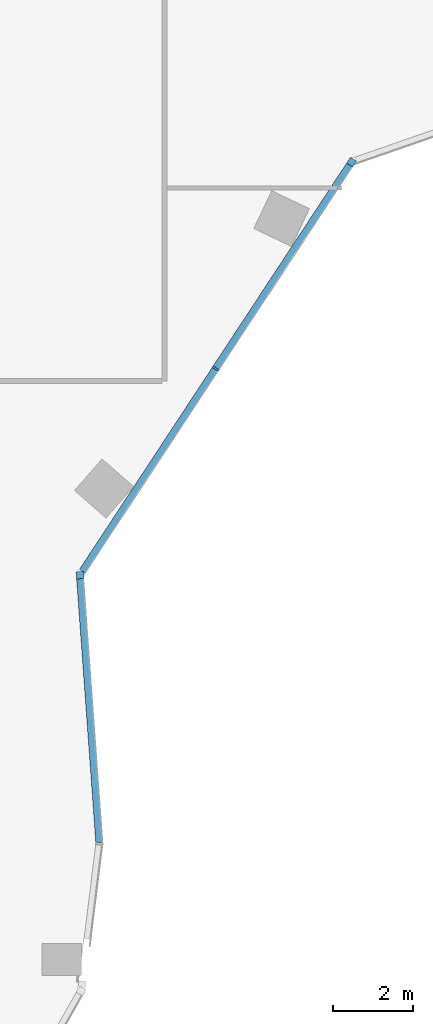
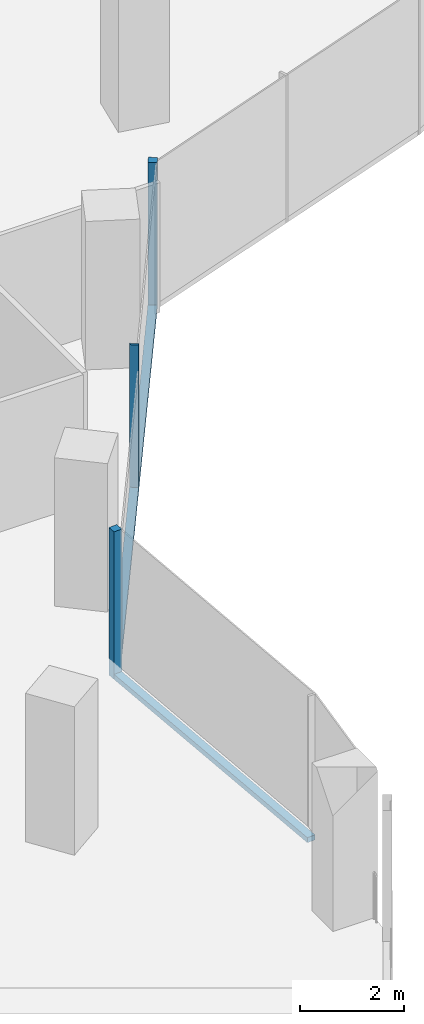
# One storey, part 5 of 24: 5 members, 2 elements without a shape of their own.
"""IFC4 building model written with IfcOpenShell, lengths in metres."""

from ifc_helpers import new_model, si_unit, direction, frame, origin, origin_2d, place, context, subcontext, project, spatial, rectangle, extrude, material, material_profile, profile_set, type_object, element, aggregate, save


model = new_model("IFC4")

# Units and contexts
model_context = context("Model", 3, precision=1e-05, world=origin(), true_north=direction((0.0, 1.0)))
body_context = subcontext(model_context, "Body", "Model", "MODEL_VIEW")
ifc_project = project(units=[si_unit("LENGTHUNIT", "METRE"), si_unit("AREAUNIT", "SQUARE_METRE"), si_unit("VOLUMEUNIT", "CUBIC_METRE"), si_unit("PLANEANGLEUNIT", "RADIAN"), si_unit("MASSUNIT", "GRAM", prefix="KILO")], contexts=[model_context])

# Site, building, storey
site_placement = place(None, origin())
site = spatial("IfcSite", under=ifc_project, at=site_placement, CompositionType="ELEMENT")
building_placement = place(site_placement, origin())
building = spatial("IfcBuilding", under=site, at=building_placement, Name="Orlundy Tower", CompositionType="ELEMENT")
storey_placement = place(building_placement, frame((0.0, 0.0, 246.0)))
storey = spatial("IfcBuildingStorey", under=building, at=storey_placement, Name="L65", CompositionType="ELEMENT", Elevation=246.0)

# Curtain wall, member
ifc_material_1 = material(Name="Aluminium bronze anodised", Category="aluminium")
curtain_wall_type = type_object("IfcCurtainWallType", Name="CW1 wall", PredefinedType="NOTDEFINED", material=ifc_material_1)
curtain_wall_1_placement = place(storey_placement, origin())
curtain_wall_1 = element("IfcCurtainWall", 1, at=curtain_wall_1_placement, inside=storey, type_object=curtain_wall_type, Name="CW1 run 01", PredefinedType="NOTDEFINED")
ifc_material_2 = material(Name="Aluminium bronze anodised", Category="aluminium")
ifc_material_profile_1 = material_profile(ifc_material_2, rectangle(XDim=0.179931640625, YDim=0.179931640625, at=origin_2d()), Name="CW1 corner post 180x180")
ifc_profile_set_1 = profile_set([ifc_material_profile_1], Name="Aluminium bronze anodised")
member_type_1 = type_object("IfcMemberType", Name="CW1 corner post 180x180", PredefinedType="MULLION", material=ifc_profile_set_1)
member_1_placement = place(storey_placement, frame((28.553466796875, -11.343994140625, -0.39990234375), z_axis=(0.0, 0.0, 1.0), x_axis=(0.835496427827, -0.549495877226, 0.0)))
member_1 = element("IfcMember", 2, at=member_1_placement, type_object=member_type_1, Name="CW1 mullion 3", PredefinedType="MULLION", context=body_context, shape_type="SweptSolid", body=[
    extrude(rectangle(XDim=0.179931640625, YDim=0.179931640625, at=origin_2d()), origin(), (0.0, 0.0, 1.0), 3.47998046875),
])

curtain_wall_2_placement = place(storey_placement, origin())
curtain_wall_2 = element("IfcCurtainWall", 3, at=curtain_wall_2_placement, inside=storey, type_object=curtain_wall_type, Name="CW1 run 02", PredefinedType="NOTDEFINED")
member_2_placement = place(storey_placement, frame((21.72607421875, -21.724853515625, -0.39990234375), z_axis=(0.0, 0.0, 1.0), x_axis=(0.997356697467, 0.072660980026, 0.0)))
member_2 = element("IfcMember", 4, at=member_2_placement, type_object=member_type_1, Name="CW1 mullion 5", PredefinedType="MULLION", context=body_context, shape_type="SweptSolid", body=[
    extrude(rectangle(XDim=0.179931640625, YDim=0.179931640625, at=origin_2d()), origin(), (0.0, 0.0, 1.0), 3.47998046875),
])

# Member
ifc_material_3 = material(Name="Aluminium bronze anodised", Category="aluminium")
ifc_material_profile_2 = material_profile(ifc_material_3, rectangle(XDim=0.179931640625, YDim=0.050048828125, at=origin_2d()), Name="CW1 mullion 50x180")
ifc_profile_set_2 = profile_set([ifc_material_profile_2], Name="Aluminium bronze anodised")
member_type_2 = type_object("IfcMemberType", Name="CW1 mullion 50x180", PredefinedType="MULLION", material=ifc_profile_set_2)
member_3_placement = place(storey_placement, frame((25.1396484375, -16.534423828125, -0.39990234375), z_axis=(0.0, 0.0, 1.0), x_axis=(0.835496427827, -0.549495877226, 0.0)))
member_3 = element("IfcMember", 5, at=member_3_placement, type_object=member_type_2, Name="CW1 mullion 4", PredefinedType="MULLION", context=body_context, shape_type="SweptSolid", body=[
    extrude(rectangle(XDim=0.179931640625, YDim=0.050048828125, at=origin_2d()), origin(), (0.0, 0.0, 1.0), 3.47998046875),
])

ifc_material_4 = material(Name="Aluminium bronze anodised", Category="aluminium")
ifc_material_profile_3 = material_profile(ifc_material_4, rectangle(XDim=0.179931640625, YDim=0.1201171875, at=origin_2d()), Name="CW1 transom 180x120")
ifc_profile_set_3 = profile_set([ifc_material_profile_3], Name="Aluminium bronze anodised")
member_type_3 = type_object("IfcMemberType", Name="CW1 transom 180x120", PredefinedType="USERDEFINED", material=ifc_profile_set_3)
member_4_placement = place(storey_placement, frame((28.50390625, -11.419189453125, -0.340087890625), z_axis=(-0.549493952351, -0.835497693791, 0.0), x_axis=(0.835497693791, -0.549493952351, 0.0)))
member_4 = element("IfcMember", 6, at=member_4_placement, type_object=member_type_3, Name="CW1 transom", ObjectType="TRANSOM", PredefinedType="USERDEFINED", context=body_context, shape_type="SweptSolid", body=[
    extrude(rectangle(XDim=0.179931640625, YDim=0.1201171875, at=origin_2d()), origin(), (0.0, 0.0, 1.0), 12.221435546875),
])

aggregate(curtain_wall_1, [member_1, member_3, member_4])

member_5_placement = place(storey_placement, frame((21.732421875, -21.814697265625, -0.340087890625), z_axis=(0.072674507667, -0.997355711838, 0.0), x_axis=(0.997355711838, 0.072674507667, 0.0)))
member_5 = element("IfcMember", 7, at=member_5_placement, type_object=member_type_3, Name="CW1 transom", ObjectType="TRANSOM", PredefinedType="USERDEFINED", context=body_context, shape_type="SweptSolid", body=[
    extrude(rectangle(XDim=0.179931640625, YDim=0.1201171875, at=origin_2d()), origin(), (0.0, 0.0, 1.0), 6.648193359375),
])

aggregate(curtain_wall_2, [member_2, member_5])

save(model, "model.ifc")
